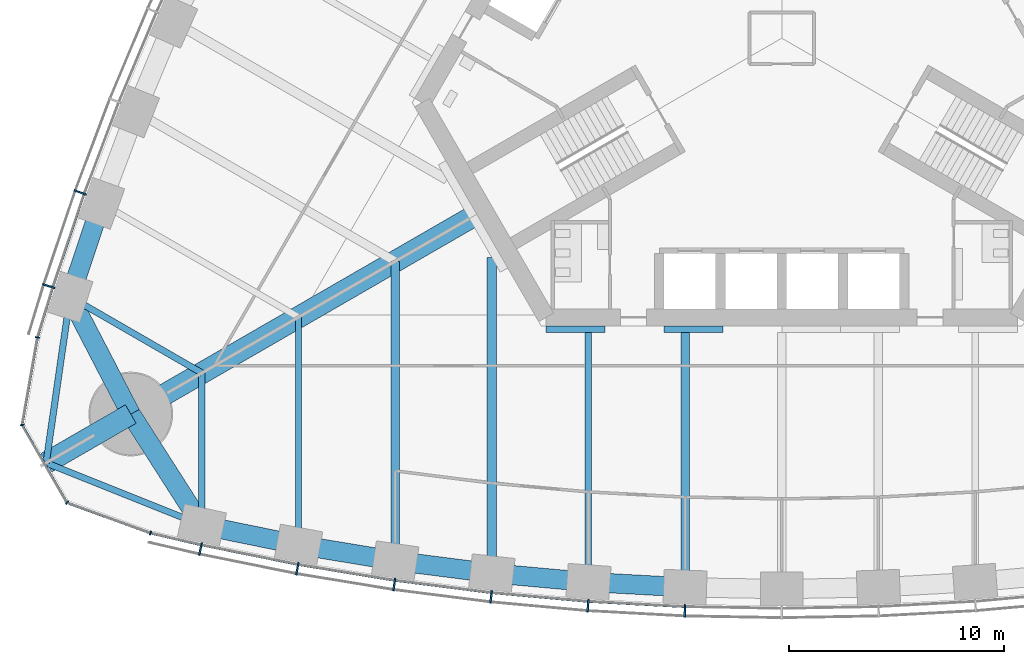
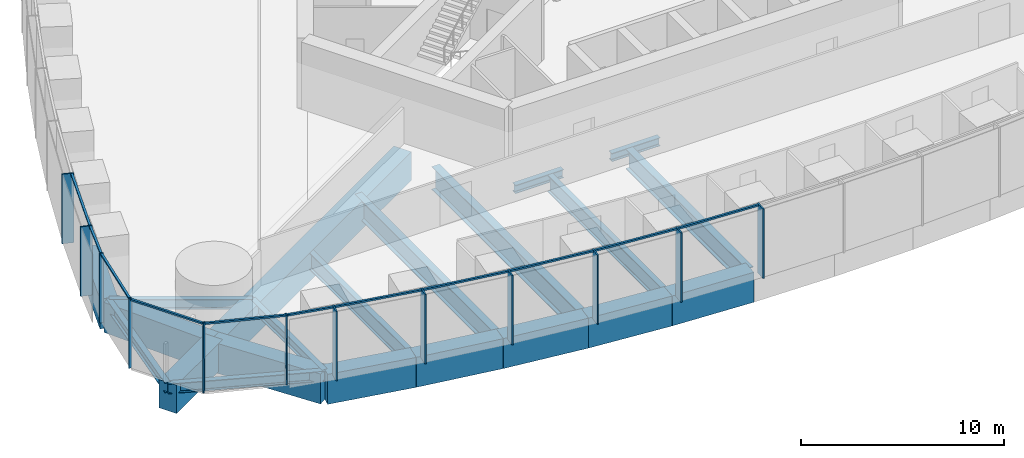
# One storey, part 2 of 19: 23 members, 21 beams, 3 elements without a shape of their own.
"""IFC4 building model written with IfcOpenShell, lengths in metres."""

from ifc_helpers import new_model, si_unit, direction, frame, origin, origin_2d, place, context, subcontext, project, spatial, rectangle, i_section, extrude, material, material_profile, profile_set, type_object, element, aggregate, save


model = new_model("IFC4")

# Units and contexts
model_context = context("Model", 3, precision=1e-05, world=origin(), true_north=direction((0.0, 1.0)))
body_context = subcontext(model_context, "Body", "Model", "MODEL_VIEW")
ifc_project = project(units=[si_unit("LENGTHUNIT", "METRE"), si_unit("AREAUNIT", "SQUARE_METRE"), si_unit("VOLUMEUNIT", "CUBIC_METRE"), si_unit("PLANEANGLEUNIT", "RADIAN"), si_unit("MASSUNIT", "GRAM", prefix="KILO")], contexts=[model_context])

# Site, building, storey
site_placement = place(None, origin())
site = spatial("IfcSite", under=ifc_project, at=site_placement, CompositionType="ELEMENT")
building_placement = place(site_placement, origin())
building = spatial("IfcBuilding", under=site, at=building_placement, Name="Trefoil Bronze Tower", CompositionType="ELEMENT")
storey_placement = place(building_placement, frame((0.0, 0.0, 166.10009765625)))
storey = spatial("IfcBuildingStorey", under=building, at=storey_placement, Name="L38", CompositionType="ELEMENT", Elevation=166.10009765625)

# Curtain wall, members
ifc_material_1 = material(Name="Tinted solar-control glass", Category="glass")
curtain_wall_type_1 = type_object("IfcCurtainWallType", Name="Bronze office curtain wall", PredefinedType="USERDEFINED", material=ifc_material_1)
curtain_wall_1_placement = place(storey_placement, origin())
curtain_wall_1 = element("IfcCurtainWall", 1, at=curtain_wall_1_placement, inside=storey, type_object=curtain_wall_type_1, Name="CW-A L38 F1", ObjectType="CURTAIN WALL", PredefinedType="USERDEFINED")
ifc_material_2 = material(Name="Bronze-finish aluminium", Category="aluminium")
ifc_material_profile_1 = material_profile(ifc_material_2, rectangle(XDim=0.60009765625, YDim=0.080078125, at=origin_2d()), Name="CW-A mullion")
ifc_profile_set_1 = profile_set([ifc_material_profile_1], Name="Bronze-finish aluminium")
member_type_1 = type_object("IfcMemberType", Name="Bronze office curtain wall mullion", PredefinedType="MULLION", material=ifc_profile_set_1)
member_1_placement = place(storey_placement, frame((-27.0634765625, -23.7890625, 0.0), z_axis=(0.0, 0.0, 1.0), x_axis=(0.21197042503, 0.977276081214, 0.0)))
member_1 = element("IfcMember", 2, at=member_1_placement, type_object=member_type_1, Name="CW-A L38 F1 mullion 2", PredefinedType="MULLION", context=body_context, shape_type="SweptSolid", body=[
    extrude(rectangle(XDim=0.60009765625, YDim=0.080078125, at=origin_2d()), origin(), (0.0, 0.0, 1.0), 4.179931640625),
])
member_2_placement = place(storey_placement, frame((-22.553955078125, -24.700927734375, 0.0), z_axis=(0.0, 0.0, 1.0), x_axis=(0.180240853954, 0.98362250613, 0.0)))
member_2 = element("IfcMember", 3, at=member_2_placement, type_object=member_type_1, Name="CW-A L38 F1 mullion 3", PredefinedType="MULLION", context=body_context, shape_type="SweptSolid", body=[
    extrude(rectangle(XDim=0.60009765625, YDim=0.080078125, at=origin_2d()), origin(), (0.0, 0.0, 1.0), 4.179931640625),
])
member_3_placement = place(storey_placement, frame((-18.043212890625, -25.4423828125, 0.0), z_axis=(0.0, 0.0, 1.0), x_axis=(0.144192103798, 0.989549714366, 0.0)))
member_3 = element("IfcMember", 4, at=member_3_placement, type_object=member_type_1, Name="CW-A L38 F1 mullion 4", PredefinedType="MULLION", context=body_context, shape_type="SweptSolid", body=[
    extrude(rectangle(XDim=0.60009765625, YDim=0.080078125, at=origin_2d()), origin(), (0.0, 0.0, 1.0), 4.179931640625),
])
member_4_placement = place(storey_placement, frame((-13.532470703125, -26.01611328125, 0.0), z_axis=(0.0, 0.0, 1.0), x_axis=(0.108143747013, 0.994135267447, 0.0)))
member_4 = element("IfcMember", 5, at=member_4_placement, type_object=member_type_1, Name="CW-A L38 F1 mullion 5", PredefinedType="MULLION", context=body_context, shape_type="SweptSolid", body=[
    extrude(rectangle(XDim=0.60009765625, YDim=0.080078125, at=origin_2d()), origin(), (0.0, 0.0, 1.0), 4.179931640625),
])
member_5_placement = place(storey_placement, frame((-9.021728515625, -26.424072265625, 0.0), z_axis=(0.0, 0.0, 1.0), x_axis=(0.072095676284, 0.997397720802, 0.0)))
member_5 = element("IfcMember", 6, at=member_5_placement, type_object=member_type_1, Name="CW-A L38 F1 mullion 6", PredefinedType="MULLION", context=body_context, shape_type="SweptSolid", body=[
    extrude(rectangle(XDim=0.60009765625, YDim=0.080078125, at=origin_2d()), origin(), (0.0, 0.0, 1.0), 4.179931640625),
])
member_6_placement = place(storey_placement, frame((-4.5107421875, -26.66845703125, 0.0), z_axis=(0.0, 0.0, 1.0), x_axis=(0.036047792107, 0.999350067136, 0.0)))
member_6 = element("IfcMember", 7, at=member_6_placement, type_object=member_type_1, Name="CW-A L38 F1 mullion 7", PredefinedType="MULLION", context=body_context, shape_type="SweptSolid", body=[
    extrude(rectangle(XDim=0.60009765625, YDim=0.080078125, at=origin_2d()), origin(), (0.0, 0.0, 1.0), 4.179931640625),
])

curtain_wall_2_placement = place(storey_placement, origin())
curtain_wall_2 = element("IfcCurtainWall", 8, at=curtain_wall_2_placement, inside=storey, type_object=curtain_wall_type_1, Name="CW-A L38 F3", ObjectType="CURTAIN WALL", PredefinedType="USERDEFINED")
member_7_placement = place(storey_placement, frame((-32.668701171875, -7.181884765625, 0.0), z_axis=(0.0, 0.0, 1.0), x_axis=(0.94196250502, -0.335718094742, 0.0)))
member_7 = element("IfcMember", 9, at=member_7_placement, type_object=member_type_1, Name="CW-A L38 F3 mullion 13", PredefinedType="MULLION", context=body_context, shape_type="SweptSolid", body=[
    extrude(rectangle(XDim=0.60009765625, YDim=0.080078125, at=origin_2d()), origin(), (0.0, 0.0, 1.0), 4.179931640625),
])
member_8_placement = place(storey_placement, frame((-34.1337890625, -11.543212890625, 0.0), z_axis=(0.0, 0.0, 1.0), x_axis=(0.952331125357, -0.30506626768, 0.0)))
member_8 = element("IfcMember", 10, at=member_8_placement, type_object=member_type_1, Name="CW-A L38 F3 mullion 14", PredefinedType="MULLION", context=body_context, shape_type="SweptSolid", body=[
    extrude(rectangle(XDim=0.60009765625, YDim=0.080078125, at=origin_2d()), origin(), (0.0, 0.0, 1.0), 4.179931640625),
])

# Member
ifc_material_3 = material(Name="Bronze-finish aluminium", Category="aluminium")
ifc_material_profile_2 = material_profile(ifc_material_3, rectangle(XDim=0.1201171875, YDim=0.10009765625, at=origin_2d()), Name="CW-A transom")
ifc_profile_set_2 = profile_set([ifc_material_profile_2], Name="Bronze-finish aluminium")
member_type_2 = type_object("IfcMemberType", Name="Bronze office curtain wall transom", PredefinedType="USERDEFINED", material=ifc_profile_set_2)
member_9_placement = place(storey_placement, frame((-29.34130859375, -23.05615234375, 4.1298828125), z_axis=(0.974206243495, -0.225659467196, 0.0), x_axis=(0.225659467196, 0.974206243495, 0.0)))
member_9 = element("IfcMember", 11, at=member_9_placement, type_object=member_type_2, Name="CW-A L38 F1 transom 1", ObjectType="TRANSOM", PredefinedType="USERDEFINED", context=body_context, shape_type="SweptSolid", body=[
    extrude(rectangle(XDim=0.1201171875, YDim=0.10009765625, at=origin_2d()), origin(), (0.0, 0.0, 1.0), 2.340087890625),
])

member_10_placement = place(storey_placement, frame((-26.980712890625, -23.601806640625, 4.1298828125), z_axis=(0.980153749225, -0.198238815273, 0.0), x_axis=(0.198238815273, 0.980153749225, 0.0)))
member_10 = element("IfcMember", 12, at=member_10_placement, type_object=member_type_2, Name="CW-A L38 F1 transom 2", ObjectType="TRANSOM", PredefinedType="USERDEFINED", context=body_context, shape_type="SweptSolid", body=[
    extrude(rectangle(XDim=0.1201171875, YDim=0.10009765625, at=origin_2d()), origin(), (0.0, 0.0, 1.0), 4.51123046875),
])

member_11_placement = place(storey_placement, frame((-22.476806640625, -24.510986328125, 4.1298828125), z_axis=(0.986755265284, -0.162216048636, 0.0), x_axis=(0.162216048636, 0.986755265284, 0.0)))
member_11 = element("IfcMember", 13, at=member_11_placement, type_object=member_type_2, Name="CW-A L38 F1 transom 3", ObjectType="TRANSOM", PredefinedType="USERDEFINED", context=body_context, shape_type="SweptSolid", body=[
    extrude(rectangle(XDim=0.1201171875, YDim=0.10009765625, at=origin_2d()), origin(), (0.0, 0.0, 1.0), 4.48046875),
])

member_12_placement = place(storey_placement, frame((-17.972900390625, -25.249755859375, 4.1298828125), z_axis=(0.992008387848, -0.12617193998, 0.0), x_axis=(0.12617193998, 0.992008387848, 0.0)))
member_12 = element("IfcMember", 14, at=member_12_placement, type_object=member_type_2, Name="CW-A L38 F1 transom 4", ObjectType="TRANSOM", PredefinedType="USERDEFINED", context=body_context, shape_type="SweptSolid", body=[
    extrude(rectangle(XDim=0.1201171875, YDim=0.10009765625, at=origin_2d()), origin(), (0.0, 0.0, 1.0), 4.456298828125),
])

member_13_placement = place(storey_placement, frame((-13.46923828125, -25.821044921875, 4.1298828125), z_axis=(0.995932787062, -0.090099298863, 0.0), x_axis=(0.090099298863, 0.995932787062, 0.0)))
member_13 = element("IfcMember", 15, at=member_13_placement, type_object=member_type_2, Name="CW-A L38 F1 transom 5", ObjectType="TRANSOM", PredefinedType="USERDEFINED", context=body_context, shape_type="SweptSolid", body=[
    extrude(rectangle(XDim=0.1201171875, YDim=0.10009765625, at=origin_2d()), origin(), (0.0, 0.0, 1.0), 4.4384765625),
])

member_14_placement = place(storey_placement, frame((-8.965576171875, -26.22705078125, 4.1298828125), z_axis=(0.998538253569, -0.054049571306, 0.0), x_axis=(0.054049571306, 0.998538253569, 0.0)))
member_14 = element("IfcMember", 16, at=member_14_placement, type_object=member_type_2, Name="CW-A L38 F1 transom 6", ObjectType="TRANSOM", PredefinedType="USERDEFINED", context=body_context, shape_type="SweptSolid", body=[
    extrude(rectangle(XDim=0.1201171875, YDim=0.10009765625, at=origin_2d()), origin(), (0.0, 0.0, 1.0), 4.4267578125),
])

aggregate(curtain_wall_1, [member_1, member_2, member_3, member_4, member_5, member_6, member_9, member_10, member_11, member_12, member_13, member_14])

member_15_placement = place(storey_placement, frame((-32.49365234375, -7.28857421875, 4.1298828125), z_axis=(-0.318386323729, -0.947961048178, 0.0), x_axis=(0.947961048178, -0.318386323729, 0.0)))
member_15 = element("IfcMember", 17, at=member_15_placement, type_object=member_type_2, Name="CW-A L38 F3 transom 13", ObjectType="TRANSOM", PredefinedType="USERDEFINED", context=body_context, shape_type="SweptSolid", body=[
    extrude(rectangle(XDim=0.1201171875, YDim=0.10009765625, at=origin_2d()), origin(), (0.0, 0.0, 1.0), 4.51123046875),
])

member_16_placement = place(storey_placement, frame((-33.955322265625, -11.643798828125, 4.1298828125), z_axis=(-0.291680468798, -0.956515814883, 0.0), x_axis=(0.956515814883, -0.291680468798, 0.0)))
member_16 = element("IfcMember", 18, at=member_16_placement, type_object=member_type_2, Name="CW-A L38 F3 transom 14", ObjectType="TRANSOM", PredefinedType="USERDEFINED", context=body_context, shape_type="SweptSolid", body=[
    extrude(rectangle(XDim=0.1201171875, YDim=0.10009765625, at=origin_2d()), origin(), (0.0, 0.0, 1.0), 2.34033203125),
])

aggregate(curtain_wall_2, [member_7, member_8, member_15, member_16])

# Curtain wall, members
ifc_material_4 = material(Name="Tinted solar-control glass", Category="glass")
curtain_wall_type_2 = type_object("IfcCurtainWallType", Name="Bronze rounded corner curtain wall", PredefinedType="USERDEFINED", material=ifc_material_4)
curtain_wall_3_placement = place(storey_placement, origin())
curtain_wall_3 = element("IfcCurtainWall", 19, at=curtain_wall_3_placement, inside=storey, type_object=curtain_wall_type_2, Name="CW-B L38 K3", ObjectType="CURTAIN WALL", PredefinedType="USERDEFINED")
ifc_material_5 = material(Name="Bronze-finish aluminium", Category="aluminium")
ifc_material_profile_3 = material_profile(ifc_material_5, rectangle(XDim=0.199951171875, YDim=0.06005859375, at=origin_2d()), Name="CW-B mullion")
ifc_profile_set_3 = profile_set([ifc_material_profile_3], Name="Bronze-finish aluminium")
member_type_3 = type_object("IfcMemberType", Name="Bronze rounded corner curtain wall mullion", PredefinedType="MULLION", material=ifc_profile_set_3)
member_17_placement = place(storey_placement, frame((-34.65234375, -13.932373046875, 0.0), z_axis=(0.0, 0.0, 1.0), x_axis=(0.984807753012, -0.173648177667, 0.0)))
member_17 = element("IfcMember", 20, at=member_17_placement, type_object=member_type_3, Name="CW-B L38 K3 mullion 1", PredefinedType="MULLION", context=body_context, shape_type="SweptSolid", body=[
    extrude(rectangle(XDim=0.199951171875, YDim=0.06005859375, at=origin_2d()), origin(), (0.0, 0.0, 1.0), 4.179931640625),
])
member_18_placement = place(storey_placement, frame((-35.364990234375, -18.009033203125, 0.0), z_axis=(0.0, 0.0, 1.0), x_axis=(0.984807753012, 0.173648177667, 0.0)))
member_18 = element("IfcMember", 21, at=member_18_placement, type_object=member_type_3, Name="CW-B L38 K3 mullion 2", PredefinedType="MULLION", context=body_context, shape_type="SweptSolid", body=[
    extrude(rectangle(XDim=0.199951171875, YDim=0.06005859375, at=origin_2d()), origin(), (0.0, 0.0, 1.0), 4.179931640625),
])
member_19_placement = place(storey_placement, frame((-33.27880859375, -21.62255859375, 0.0), z_axis=(0.0, 0.0, 1.0), x_axis=(0.642787609687, 0.766044443119, 0.0)))
member_19 = element("IfcMember", 22, at=member_19_placement, type_object=member_type_3, Name="CW-B L38 K3 mullion 3", PredefinedType="MULLION", context=body_context, shape_type="SweptSolid", body=[
    extrude(rectangle(XDim=0.199951171875, YDim=0.06005859375, at=origin_2d()), origin(), (0.0, 0.0, 1.0), 4.179931640625),
])
member_20_placement = place(storey_placement, frame((-29.391845703125, -23.043701171875, 0.0), z_axis=(0.0, 0.0, 1.0), x_axis=(0.342020143326, 0.939692620786, 0.0)))
member_20 = element("IfcMember", 23, at=member_20_placement, type_object=member_type_3, Name="CW-B L38 K3 mullion 4", PredefinedType="MULLION", context=body_context, shape_type="SweptSolid", body=[
    extrude(rectangle(XDim=0.199951171875, YDim=0.06005859375, at=origin_2d()), origin(), (0.0, 0.0, 1.0), 4.179931640625),
])
ifc_material_6 = material(Name="Bronze-finish aluminium", Category="aluminium")
ifc_material_profile_4 = material_profile(ifc_material_6, rectangle(XDim=0.1201171875, YDim=0.10009765625, at=origin_2d()), Name="CW-B transom")
ifc_profile_set_4 = profile_set([ifc_material_profile_4], Name="Bronze-finish aluminium")
member_type_4 = type_object("IfcMemberType", Name="Bronze rounded corner curtain wall transom", PredefinedType="USERDEFINED", material=ifc_profile_set_4)
member_21_placement = place(storey_placement, frame((-34.657470703125, -13.9619140625, 4.1298828125), z_axis=(-0.173682016639, -0.984801785689, 0.0), x_axis=(0.984801785689, -0.173682016639, 0.0)))
member_21 = element("IfcMember", 24, at=member_21_placement, type_object=member_type_4, Name="CW-B L38 K3 transom 1", ObjectType="TRANSOM", PredefinedType="USERDEFINED", context=body_context, shape_type="SweptSolid", body=[
    extrude(rectangle(XDim=0.1201171875, YDim=0.10009765625, at=origin_2d()), origin(), (0.0, 0.0, 1.0), 4.044189453125),
])
member_22_placement = place(storey_placement, frame((-35.338134765625, -18.067626953125, 4.1298828125), z_axis=(0.500015078168, -0.866016698225, 0.0), x_axis=(0.866016698225, 0.500015078168, 0.0)))
member_22 = element("IfcMember", 25, at=member_22_placement, type_object=member_type_4, Name="CW-B L38 K3 transom 2", ObjectType="TRANSOM", PredefinedType="USERDEFINED", context=body_context, shape_type="SweptSolid", body=[
    extrude(rectangle(XDim=0.1201171875, YDim=0.10009765625, at=origin_2d()), origin(), (0.0, 0.0, 1.0), 4.04443359375),
])
member_23_placement = place(storey_placement, frame((-33.220458984375, -21.650146484375, 4.1298828125), z_axis=(0.939684096629, -0.342043562347, 0.0), x_axis=(0.342043562347, 0.939684096629, 0.0)))
member_23 = element("IfcMember", 26, at=member_23_placement, type_object=member_type_4, Name="CW-B L38 K3 transom 3", ObjectType="TRANSOM", PredefinedType="USERDEFINED", context=body_context, shape_type="SweptSolid", body=[
    extrude(rectangle(XDim=0.1201171875, YDim=0.10009765625, at=origin_2d()), origin(), (0.0, 0.0, 1.0), 4.044189453125),
])
aggregate(curtain_wall_3, [member_17, member_18, member_19, member_20, member_21, member_22, member_23])

# Beams
ifc_material_7 = material(Name="Steel C355", Category="steel")
ifc_material_profile_5 = material_profile(ifc_material_7, i_section(OverallWidth=0.300048828125, OverallDepth=0.5, WebThickness=0.014404296875, FlangeThickness=0.028076171875, FilletRadius=0.027099609375, at=origin_2d()), Name="HEB 500")
ifc_profile_set_5 = profile_set([ifc_material_profile_5], Name="Steel C355")
beam_type_1 = type_object("IfcBeamType", Name="Core seat beam HEB 500", PredefinedType="BEAM", material=ifc_profile_set_5)
for number, where, z_axis, x_axis, name in (
    (27, (-10.9697265625, -13.550048828125, -0.4501953125), (1.0, 0.0, 0.0), (0.0, 1.0, 0.0), "Core seat beam F1/-2 L38"),
    (28, (-5.48486328125, -13.550048828125, -0.4501953125), (1.0, 0.0, 0.0), (0.0, 1.0, 0.0), "Core seat beam F1/-1 L38"),
):
    element("IfcBeam", number, at=place(storey_placement, frame(where, z_axis=z_axis, x_axis=x_axis)), inside=storey, type_object=beam_type_1, Name=name, PredefinedType="BEAM", context=body_context, shape_type="SweptSolid", body=[
        extrude(i_section(OverallWidth=0.300048828125, OverallDepth=0.5, WebThickness=0.014404296875, FlangeThickness=0.028076171875, FilletRadius=0.027099609375, at=origin_2d()), origin(), (0.0, 0.0, 1.0), 2.742431640625),
    ])
ifc_material_8 = material(Name="Concrete B80", Category="concrete")
ifc_material_profile_6 = material_profile(ifc_material_8, rectangle(XDim=1.0, YDim=1.699951171875, at=origin_2d()), Name="RC 1000x1700")
ifc_profile_set_6 = profile_set([ifc_material_profile_6], Name="Concrete B80")
beam_type_2 = type_object("IfcBeamType", Name="Corner cantilever RC 1000x1700", PredefinedType="BEAM", material=ifc_profile_set_6)
beam_1_placement = place(storey_placement, frame((-30.310791015625, -17.5, -1.050048828125), z_axis=(-0.866031878637, -0.499988785058, 0.0), x_axis=(0.499988785058, -0.866031878637, 0.0)))
element("IfcBeam", 29, at=beam_1_placement, inside=storey, type_object=beam_type_2, Name="Corner cantilever K3 L38", PredefinedType="BEAM", context=body_context, shape_type="SweptSolid", body=[
    extrude(rectangle(XDim=1.0, YDim=1.699951171875, at=origin_2d()), origin(), (0.0, 0.0, 1.0), 4.54931640625),
])
ifc_material_9 = material(Name="Steel C355", Category="steel")
ifc_material_profile_7 = material_profile(ifc_material_9, i_section(OverallWidth=0.300048828125, OverallDepth=0.60009765625, WebThickness=0.015380859375, FlangeThickness=0.030029296875, FilletRadius=0.027099609375, at=origin_2d()), Name="HEB 600")
ifc_profile_set_7 = profile_set([ifc_material_profile_7], Name="Steel C355")
beam_type_3 = type_object("IfcBeamType", Name="Corner edge beam HEB 600", PredefinedType="BEAM", material=ifc_profile_set_7)
for number, where, z_axis, x_axis, name in (
    (30, (-27.0, -22.67724609375, -0.5), (-0.928375332495, 0.371643972122, 0.0), (-0.371643972122, -0.928375332495, 0.0), "Corner edge beam F1B L38"),
    (31, (-33.13916015625, -12.044189453125, -0.5), (-0.142327214588, -0.989819662357, 0.0), (0.989819662357, -0.142327214588, 0.0), "Corner edge beam F3A L38"),
):
    element("IfcBeam", number, at=place(storey_placement, frame(where, z_axis=z_axis, x_axis=x_axis)), inside=storey, type_object=beam_type_3, Name=name, PredefinedType="BEAM", context=body_context, shape_type="SweptSolid", body=[
        extrude(i_section(OverallWidth=0.300048828125, OverallDepth=0.60009765625, WebThickness=0.015380859375, FlangeThickness=0.030029296875, FilletRadius=0.027099609375, at=origin_2d()), origin(), (0.0, 0.0, 1.0), 7.81005859375),
    ])
ifc_material_10 = material(Name="Concrete B80", Category="concrete")
ifc_material_profile_8 = material_profile(ifc_material_10, rectangle(XDim=1.0, YDim=1.699951171875, at=origin_2d()), Name="RC 1000x1700")
ifc_profile_set_8 = profile_set([ifc_material_profile_8], Name="Concrete B80")
beam_type_4 = type_object("IfcBeamType", Name="Corner girder RC 1000x1700", PredefinedType="BEAM", material=ifc_profile_set_8)
beam_2_placement = place(storey_placement, frame((-14.202880859375, -8.199951171875, -1.050048828125), z_axis=(-0.866022084834, -0.500005748546, 0.0), x_axis=(0.500005748546, -0.866022084834, 0.0)))
element("IfcBeam", 32, at=beam_2_placement, inside=storey, type_object=beam_type_4, Name="Corner girder K3 L38", PredefinedType="BEAM", context=body_context, shape_type="SweptSolid", body=[
    extrude(rectangle(XDim=1.0, YDim=1.699951171875, at=origin_2d()), origin(), (0.0, 0.0, 1.0), 18.599853515625),
])
ifc_material_11 = material(Name="Concrete B80", Category="concrete")
ifc_material_profile_9 = material_profile(ifc_material_11, rectangle(XDim=0.89990234375, YDim=1.800048828125, at=origin_2d()), Name="RC 900x1800")
ifc_profile_set_9 = profile_set([ifc_material_profile_9], Name="Concrete B80")
beam_type_5 = type_object("IfcBeamType", Name="End spandrel beam RC 900x1800", PredefinedType="SPANDREL", material=ifc_profile_set_9)
for number, where, z_axis, x_axis, name in (
    (33, (-30.310791015625, -17.5, -1.10009765625), (0.53874814953, -0.84246687257, 0.0), (0.84246687257, 0.53874814953, 0.0), "Spandrel F1.1 L38"),
    (34, (-33.13916015625, -12.044189453125, -1.10009765625), (0.460244107083, -0.887792409235, 0.0), (0.887792409235, 0.460244107083, 0.0), "Spandrel F3.14 L38"),
):
    element("IfcBeam", number, at=place(storey_placement, frame(where, z_axis=z_axis, x_axis=x_axis)), inside=storey, type_object=beam_type_5, Name=name, PredefinedType="SPANDREL", context=body_context, shape_type="SweptSolid", body=[
        extrude(rectangle(XDim=0.89990234375, YDim=1.800048828125, at=origin_2d()), origin(), (0.0, 0.0, 1.0), 6.145263671875),
    ])
ifc_material_12 = material(Name="Steel C355", Category="steel")
ifc_material_profile_10 = material_profile(ifc_material_12, i_section(OverallWidth=0.300048828125, OverallDepth=1.0, WebThickness=0.01904296875, FlangeThickness=0.035888671875, FilletRadius=0.030029296875, at=origin_2d()), Name="HEB 1000")
ifc_profile_set_10 = profile_set([ifc_material_profile_10], Name="Steel C355")
beam_type_6 = type_object("IfcBeamType", Name="Floor beam HEB 1000", PredefinedType="BEAM", material=ifc_profile_set_10)
beam_3_placement = place(storey_placement, frame((-22.5, -23.592529296875, -0.7001953125), z_axis=(0.0, 1.0, 0.0), x_axis=(-1.0, 0.0, 0.0)))
element("IfcBeam", 35, at=beam_3_placement, inside=storey, type_object=beam_type_6, Name="Floor beam F1/-5 L38", PredefinedType="BEAM", context=body_context, shape_type="SweptSolid", body=[
    extrude(i_section(OverallWidth=0.300048828125, OverallDepth=1.0, WebThickness=0.01904296875, FlangeThickness=0.035888671875, FilletRadius=0.030029296875, at=origin_2d()), origin(), (0.0, 0.0, 1.0), 10.60205078125),
])
ifc_material_13 = material(Name="Steel C355", Category="steel")
ifc_material_profile_11 = material_profile(ifc_material_13, i_section(OverallWidth=0.300048828125, OverallDepth=0.60009765625, WebThickness=0.015380859375, FlangeThickness=0.030029296875, FilletRadius=0.027099609375, at=origin_2d()), Name="HEB 600")
ifc_profile_set_11 = profile_set([ifc_material_profile_11], Name="Steel C355")
beam_type_7 = type_object("IfcBeamType", Name="Floor beam HEB 600", PredefinedType="BEAM", material=ifc_profile_set_11)
for number, where, z_axis, x_axis, name in (
    (36, (-27.0, -22.67724609375, -0.5), (0.0, 1.0, 0.0), (-1.0, 0.0, 0.0), "Floor beam F1/-6 L38"),
    (37, (-33.13916015625, -12.044189453125, -0.5), (0.866041060244, -0.499972881236, 0.0), (0.499972881236, 0.866041060244, 0.0), "Floor beam F3/+6 L38"),
):
    element("IfcBeam", number, at=place(storey_placement, frame(where, z_axis=z_axis, x_axis=x_axis)), inside=storey, type_object=beam_type_7, Name=name, PredefinedType="BEAM", context=body_context, shape_type="SweptSolid", body=[
        extrude(i_section(OverallWidth=0.300048828125, OverallDepth=0.60009765625, WebThickness=0.015380859375, FlangeThickness=0.030029296875, FilletRadius=0.027099609375, at=origin_2d()), origin(), (0.0, 0.0, 1.0), 7.0888671875),
    ])
ifc_material_14 = material(Name="Steel C355", Category="steel")
ifc_material_profile_12 = material_profile(ifc_material_14, i_section(OverallWidth=0.302001953125, OverallDepth=1.008056640625, WebThickness=0.02099609375, FlangeThickness=0.0400390625, FilletRadius=0.030029296875, at=origin_2d()), Name="HEM 1000")
ifc_profile_set_12 = profile_set([ifc_material_profile_12], Name="Steel C355")
beam_type_8 = type_object("IfcBeamType", Name="Floor beam HEM 1000", PredefinedType="BEAM", material=ifc_profile_set_12)
beam_4_placement = place(storey_placement, frame((-9.0, -25.32275390625, -0.7041015625), z_axis=(0.0, 1.0, 0.0), x_axis=(-1.0, 0.0, 0.0)))
element("IfcBeam", 38, at=beam_4_placement, inside=storey, type_object=beam_type_8, Name="Floor beam F1/-2 L38", PredefinedType="BEAM", context=body_context, shape_type="SweptSolid", body=[
    extrude(i_section(OverallWidth=0.302001953125, OverallDepth=1.008056640625, WebThickness=0.02099609375, FlangeThickness=0.0400390625, FilletRadius=0.030029296875, at=origin_2d()), origin(), (0.0, 0.0, 1.0), 11.622802734375),
])
ifc_material_15 = material(Name="Steel C355", Category="steel")
ifc_material_profile_13 = material_profile(ifc_material_15, i_section(OverallWidth=0.39990234375, OverallDepth=1.199951171875, WebThickness=0.02001953125, FlangeThickness=0.0400390625, FilletRadius=0.010009765625, at=origin_2d()), Name="WPG 1200")
ifc_profile_set_13 = profile_set([ifc_material_profile_13], Name="Steel C355")
beam_type_9 = type_object("IfcBeamType", Name="Floor beam WPG 1200", PredefinedType="BEAM", material=ifc_profile_set_13)
beam_5_placement = place(storey_placement, frame((-18.0, -24.337158203125, -0.800048828125), z_axis=(0.0, 1.0, 0.0), x_axis=(-1.0, 0.0, 0.0)))
element("IfcBeam", 39, at=beam_5_placement, inside=storey, type_object=beam_type_9, Name="Floor beam F1/-4 L38", PredefinedType="BEAM", context=body_context, shape_type="SweptSolid", body=[
    extrude(i_section(OverallWidth=0.39990234375, OverallDepth=1.199951171875, WebThickness=0.02001953125, FlangeThickness=0.0400390625, FilletRadius=0.010009765625, at=origin_2d()), origin(), (0.0, 0.0, 1.0), 13.94482421875),
])
beam_6_placement = place(storey_placement, frame((-4.5, -25.568115234375, -0.800048828125), z_axis=(0.0, 1.0, 0.0), x_axis=(-1.0, 0.0, 0.0)))
element("IfcBeam", 40, at=beam_6_placement, inside=storey, type_object=beam_type_9, Name="Floor beam F1/-1 L38", PredefinedType="BEAM", context=body_context, shape_type="SweptSolid", body=[
    extrude(i_section(OverallWidth=0.39990234375, OverallDepth=1.199951171875, WebThickness=0.02001953125, FlangeThickness=0.0400390625, FilletRadius=0.010009765625, at=origin_2d()), origin(), (0.0, 0.0, 1.0), 11.8681640625),
])
ifc_material_16 = material(Name="Steel C355", Category="steel")
ifc_material_profile_14 = material_profile(ifc_material_16, i_section(OverallWidth=0.449951171875, OverallDepth=1.39990234375, WebThickness=0.02294921875, FlangeThickness=0.044921875, FilletRadius=0.011962890625, at=origin_2d()), Name="WPG 1400")
ifc_profile_set_14 = profile_set([ifc_material_profile_14], Name="Steel C355")
beam_type_10 = type_object("IfcBeamType", Name="Floor beam WPG 1400", PredefinedType="BEAM", material=ifc_profile_set_14)
beam_7_placement = place(storey_placement, frame((-13.5, -24.9130859375, -0.900146484375), z_axis=(0.0, 1.0, 0.0), x_axis=(-1.0, 0.0, 0.0)))
element("IfcBeam", 41, at=beam_7_placement, inside=storey, type_object=beam_type_10, Name="Floor beam F1/-3 L38", PredefinedType="BEAM", context=body_context, shape_type="SweptSolid", body=[
    extrude(i_section(OverallWidth=0.449951171875, OverallDepth=1.39990234375, WebThickness=0.02294921875, FlangeThickness=0.044921875, FilletRadius=0.011962890625, at=origin_2d()), origin(), (0.0, 0.0, 1.0), 14.69580078125),
])
ifc_material_17 = material(Name="Concrete B80", Category="concrete")
ifc_material_profile_15 = material_profile(ifc_material_17, rectangle(XDim=0.89990234375, YDim=1.800048828125, at=origin_2d()), Name="RC 900x1800")
ifc_profile_set_15 = profile_set([ifc_material_profile_15], Name="Concrete B80")
beam_type_11 = type_object("IfcBeamType", Name="Spandrel beam RC 900x1800", PredefinedType="SPANDREL", material=ifc_profile_set_15)
beam_8_placement = place(storey_placement, frame((-27.0, -22.67724609375, -1.10009765625), z_axis=(0.979935430296, -0.199315208777, 0.0), x_axis=(0.199315208777, 0.979935430296, 0.0)))
element("IfcBeam", 42, at=beam_8_placement, inside=storey, type_object=beam_type_11, Name="Spandrel F1.2 L38", PredefinedType="SPANDREL", context=body_context, shape_type="SweptSolid", body=[
    extrude(rectangle(XDim=0.89990234375, YDim=1.800048828125, at=origin_2d()), origin(), (0.0, 0.0, 1.0), 4.592041015625),
])
beam_9_placement = place(storey_placement, frame((-22.5, -23.592529296875, -1.10009765625), z_axis=(0.986584214684, -0.163253138823, 0.0), x_axis=(0.163253138823, 0.986584214684, 0.0)))
element("IfcBeam", 43, at=beam_9_placement, inside=storey, type_object=beam_type_11, Name="Spandrel F1.3 L38", PredefinedType="SPANDREL", context=body_context, shape_type="SweptSolid", body=[
    extrude(rectangle(XDim=0.89990234375, YDim=1.800048828125, at=origin_2d()), origin(), (0.0, 0.0, 1.0), 4.561279296875),
])
beam_10_placement = place(storey_placement, frame((-18.0, -24.337158203125, -1.10009765625), z_axis=(0.991909314257, -0.126948463126, 0.0), x_axis=(0.126948463126, 0.991909314257, 0.0)))
element("IfcBeam", 44, at=beam_10_placement, inside=storey, type_object=beam_type_11, Name="Spandrel F1.4 L38", PredefinedType="SPANDREL", context=body_context, shape_type="SweptSolid", body=[
    extrude(rectangle(XDim=0.89990234375, YDim=1.800048828125, at=origin_2d()), origin(), (0.0, 0.0, 1.0), 4.53662109375),
])
beam_11_placement = place(storey_placement, frame((-13.5, -24.9130859375, -1.10009765625), z_axis=(0.995881683815, -0.090662405894, 0.0), x_axis=(0.090662405894, 0.995881683815, 0.0)))
element("IfcBeam", 45, at=beam_11_placement, inside=storey, type_object=beam_type_11, Name="Spandrel F1.5 L38", PredefinedType="SPANDREL", context=body_context, shape_type="SweptSolid", body=[
    extrude(rectangle(XDim=0.89990234375, YDim=1.800048828125, at=origin_2d()), origin(), (0.0, 0.0, 1.0), 4.5185546875),
])
beam_12_placement = place(storey_placement, frame((-9.0, -25.32275390625, -1.10009765625), z_axis=(0.998516832602, -0.054443870267, 0.0), x_axis=(0.054443870267, 0.998516832602, 0.0)))
element("IfcBeam", 46, at=beam_12_placement, inside=storey, type_object=beam_type_11, Name="Spandrel F1.6 L38", PredefinedType="SPANDREL", context=body_context, shape_type="SweptSolid", body=[
    extrude(rectangle(XDim=0.89990234375, YDim=1.800048828125, at=origin_2d()), origin(), (0.0, 0.0, 1.0), 4.506591796875),
])
beam_13_placement = place(storey_placement, frame((-31.681884765625, -7.689208984375, -1.10009765625), z_axis=(-0.31732802068, -0.948315837309, 0.0), x_axis=(0.948315837309, -0.31732802068, 0.0)))
element("IfcBeam", 47, at=beam_13_placement, inside=storey, type_object=beam_type_11, Name="Spandrel F3.13 L38", PredefinedType="SPANDREL", context=body_context, shape_type="SweptSolid", body=[
    extrude(rectangle(XDim=0.89990234375, YDim=1.800048828125, at=origin_2d()), origin(), (0.0, 0.0, 1.0), 4.59228515625),
])

save(model, "model.ifc")
